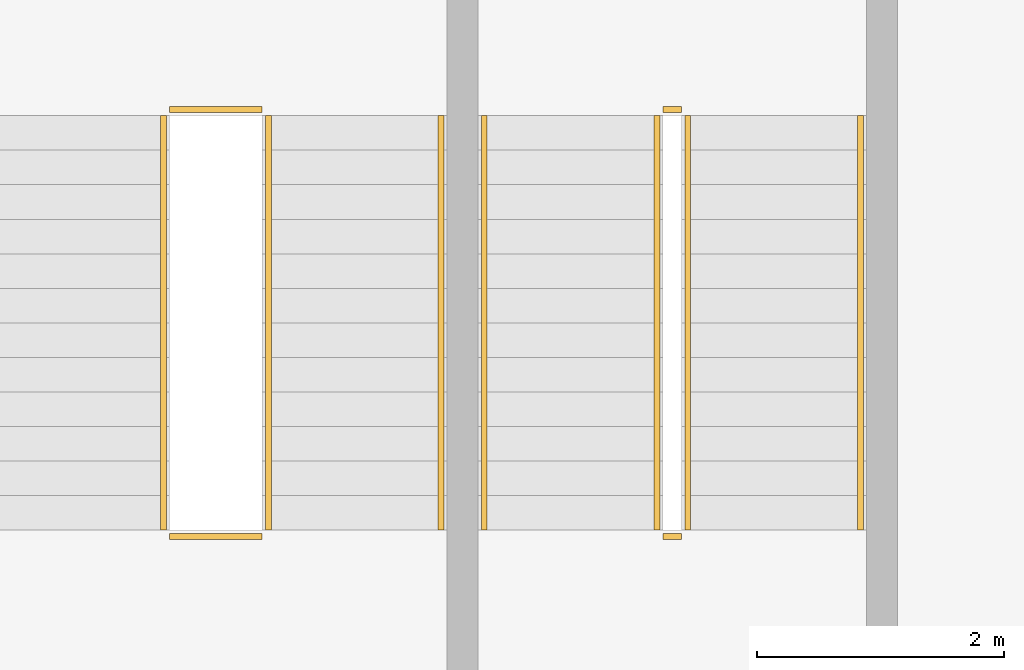
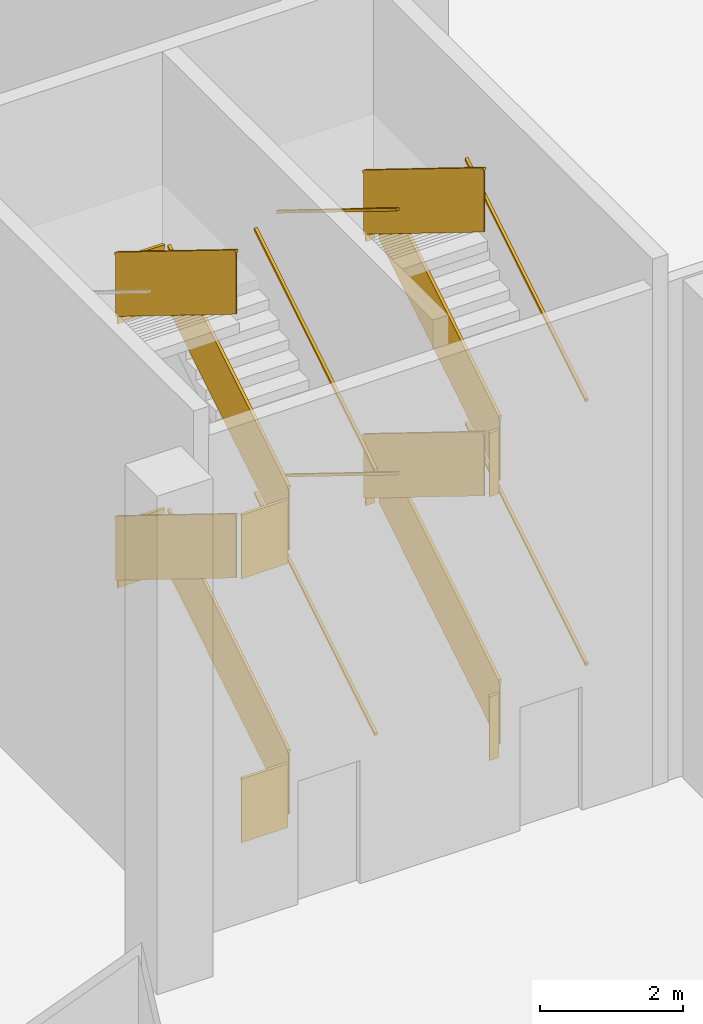
# One storey, part 32 of 34: 22 railings.
"""IFC4 building model written with IfcOpenShell, lengths in metres."""

from ifc_helpers import new_model, si_unit, direction, frame, origin, origin_2d, place, context, subcontext, project, spatial, rectangle, extrude, material, type_object, element, save


model = new_model("IFC4")

# Units and contexts
model_context = context("Model", 3, precision=1e-05, world=origin(), true_north=direction((0.0, 1.0)))
body_context = subcontext(model_context, "Body", "Model", "MODEL_VIEW")
ifc_project = project(units=[si_unit("LENGTHUNIT", "METRE"), si_unit("AREAUNIT", "SQUARE_METRE"), si_unit("VOLUMEUNIT", "CUBIC_METRE"), si_unit("PLANEANGLEUNIT", "RADIAN"), si_unit("MASSUNIT", "GRAM", prefix="KILO")], contexts=[model_context])

# Site, building, storey
site_placement = place(None, origin())
site = spatial("IfcSite", under=ifc_project, at=site_placement, CompositionType="ELEMENT")
building_placement = place(site_placement, origin())
building = spatial("IfcBuilding", under=site, at=building_placement, Name="Mirante Cascada Hotel Towers", CompositionType="ELEMENT")
storey_placement = place(building_placement, origin())
storey = spatial("IfcBuildingStorey", under=building, at=storey_placement, Name="L00", CompositionType="ELEMENT", Elevation=0.0)

# Railings
ifc_material_1 = material(Name="Painted steel", Category="steel")
railing_type_1 = type_object("IfcRailingType", Name="Podium stair guard 1100 steel balustrade", PredefinedType="GUARDRAIL", material=ifc_material_1)
railing_1_placement = place(storey_placement, frame((-20.375, -15.775, 0.1731)))
element("IfcRailing", 1, at=railing_1_placement, inside=storey, type_object=railing_type_1, Name="L00 PS1 stair guard 1", PredefinedType="GUARDRAIL", context=body_context, shape_type="SweptSolid", body=[
    extrude(rectangle(XDim=0.048, YDim=0.048, at=origin_2d()), frame((0.0, 0.0, 1.076), z_axis=(0.0, 1.0, 0.0), x_axis=(-1.0, 0.0, 0.0)), (0.0, 0.5257871, 0.8506162), 3.9501),
    extrude(rectangle(XDim=0.02, YDim=1.052, at=origin_2d()), frame((0.0, 0.0, 0.526), z_axis=(0.0, 1.0, 0.0), x_axis=(-1.0, 0.0, 0.0)), (0.0, 0.5257871, 0.8506162), 3.9501),
])
railing_2_placement = place(storey_placement, frame((-20.425, -12.365, 2.25)))
element("IfcRailing", 2, at=railing_2_placement, inside=storey, type_object=railing_type_1, Name="L00 PS1 stair guard 2", PredefinedType="GUARDRAIL", context=body_context, shape_type="SweptSolid", body=[
    extrude(rectangle(XDim=0.048, YDim=0.048, at=origin_2d()), frame((0.0, 0.0, 1.076), z_axis=(-1.0, 0.0, 0.0), x_axis=(0.0, -1.0, 0.0)), (0.0, 0.0, 1.0), 0.15),
    extrude(rectangle(XDim=0.02, YDim=1.052, at=origin_2d()), frame((0.0, 0.0, 0.526), z_axis=(-1.0, 0.0, 0.0), x_axis=(0.0, -1.0, 0.0)), (0.0, 0.0, 1.0), 0.15),
])
railing_3_placement = place(storey_placement, frame((-20.625, -12.415, 2.4231)))
element("IfcRailing", 3, at=railing_3_placement, inside=storey, type_object=railing_type_1, Name="L00 PS1 stair guard 3", PredefinedType="GUARDRAIL", context=body_context, shape_type="SweptSolid", body=[
    extrude(rectangle(XDim=0.048, YDim=0.048, at=origin_2d()), frame((0.0, 0.0, 1.076), z_axis=(0.0, -1.0, 0.0), x_axis=(1.0, 0.0, 0.0)), (0.0, 0.5257871, 0.8506162), 3.9501),
    extrude(rectangle(XDim=0.02, YDim=1.052, at=origin_2d()), frame((0.0, 0.0, 0.526), z_axis=(0.0, -1.0, 0.0), x_axis=(1.0, 0.0, 0.0)), (0.0, 0.5257871, 0.8506162), 3.9501),
])
railing_4_placement = place(storey_placement, frame((-20.425, -15.825, 4.5)))
element("IfcRailing", 4, at=railing_4_placement, inside=storey, type_object=railing_type_1, Name="L00 PS1 stair guard 4", PredefinedType="GUARDRAIL", context=body_context, shape_type="SweptSolid", body=[
    extrude(rectangle(XDim=0.048, YDim=0.048, at=origin_2d()), frame((0.0, 0.0, 1.076), z_axis=(-1.0, 0.0, 0.0), x_axis=(0.0, -1.0, 0.0)), (0.0, 0.0, 1.0), 0.15),
    extrude(rectangle(XDim=0.02, YDim=1.052, at=origin_2d()), frame((0.0, 0.0, 0.526), z_axis=(-1.0, 0.0, 0.0), x_axis=(0.0, -1.0, 0.0)), (0.0, 0.0, 1.0), 0.15),
])
railing_5_placement = place(storey_placement, frame((-20.375, -15.775, 4.6731)))
element("IfcRailing", 5, at=railing_5_placement, inside=storey, type_object=railing_type_1, Name="L00 PS1 stair guard 5", PredefinedType="GUARDRAIL", context=body_context, shape_type="SweptSolid", body=[
    extrude(rectangle(XDim=0.048, YDim=0.048, at=origin_2d()), frame((0.0, 0.0, 1.076), z_axis=(0.0, 1.0, 0.0), x_axis=(-1.0, 0.0, 0.0)), (0.0, 0.5257871, 0.8506162), 3.9501),
    extrude(rectangle(XDim=0.02, YDim=1.052, at=origin_2d()), frame((0.0, 0.0, 0.526), z_axis=(0.0, 1.0, 0.0), x_axis=(-1.0, 0.0, 0.0)), (0.0, 0.5257871, 0.8506162), 3.9501),
])
railing_6_placement = place(storey_placement, frame((-20.425, -12.365, 6.75)))
element("IfcRailing", 6, at=railing_6_placement, inside=storey, type_object=railing_type_1, Name="L00 PS1 stair guard 6", PredefinedType="GUARDRAIL", context=body_context, shape_type="SweptSolid", body=[
    extrude(rectangle(XDim=0.048, YDim=0.048, at=origin_2d()), frame((0.0, 0.0, 1.076), z_axis=(-1.0, 0.0, 0.0), x_axis=(0.0, -1.0, 0.0)), (0.0, 0.0, 1.0), 0.15),
    extrude(rectangle(XDim=0.02, YDim=1.052, at=origin_2d()), frame((0.0, 0.0, 0.526), z_axis=(-1.0, 0.0, 0.0), x_axis=(0.0, -1.0, 0.0)), (0.0, 0.0, 1.0), 0.15),
])
railing_7_placement = place(storey_placement, frame((-20.625, -12.415, 6.9231)))
element("IfcRailing", 7, at=railing_7_placement, inside=storey, type_object=railing_type_1, Name="L00 PS1 stair guard 7", PredefinedType="GUARDRAIL", context=body_context, shape_type="SweptSolid", body=[
    extrude(rectangle(XDim=0.048, YDim=0.048, at=origin_2d()), frame((0.0, 0.0, 1.076), z_axis=(0.0, -1.0, 0.0), x_axis=(1.0, 0.0, 0.0)), (0.0, 0.5257871, 0.8506162), 3.9501),
    extrude(rectangle(XDim=0.02, YDim=1.052, at=origin_2d()), frame((0.0, 0.0, 0.526), z_axis=(0.0, -1.0, 0.0), x_axis=(1.0, 0.0, 0.0)), (0.0, 0.5257871, 0.8506162), 3.9501),
])
railing_8_placement = place(storey_placement, frame((-20.425, -15.825, 0.0)))
element("IfcRailing", 8, at=railing_8_placement, inside=storey, type_object=railing_type_1, Name="L00 PS1 stair guard 8", PredefinedType="GUARDRAIL", context=body_context, shape_type="SweptSolid", body=[
    extrude(rectangle(XDim=0.048, YDim=0.048, at=origin_2d()), frame((0.0, 0.0, 1.076), z_axis=(-1.0, 0.0, 0.0), x_axis=(0.0, -1.0, 0.0)), (0.0, 0.0, 1.0), 0.15),
    extrude(rectangle(XDim=0.02, YDim=1.052, at=origin_2d()), frame((0.0, 0.0, 0.526), z_axis=(-1.0, 0.0, 0.0), x_axis=(0.0, -1.0, 0.0)), (0.0, 0.0, 1.0), 0.15),
])
railing_9_placement = place(storey_placement, frame((-23.775, -15.775, 0.1731)))
element("IfcRailing", 9, at=railing_9_placement, inside=storey, type_object=railing_type_1, Name="L00 PS3 stair guard 1", PredefinedType="GUARDRAIL", context=body_context, shape_type="SweptSolid", body=[
    extrude(rectangle(XDim=0.048, YDim=0.048, at=origin_2d()), frame((0.0, 0.0, 1.076), z_axis=(0.0, 1.0, 0.0), x_axis=(-1.0, 0.0, 0.0)), (0.0, 0.5257871, 0.8506162), 3.9501),
    extrude(rectangle(XDim=0.02, YDim=1.052, at=origin_2d()), frame((0.0, 0.0, 0.526), z_axis=(0.0, 1.0, 0.0), x_axis=(-1.0, 0.0, 0.0)), (0.0, 0.5257871, 0.8506162), 3.9501),
])
railing_10_placement = place(storey_placement, frame((-23.825, -12.365, 2.25)))
element("IfcRailing", 10, at=railing_10_placement, inside=storey, type_object=railing_type_1, Name="L00 PS3 stair guard 2", PredefinedType="GUARDRAIL", context=body_context, shape_type="SweptSolid", body=[
    extrude(rectangle(XDim=0.048, YDim=0.048, at=origin_2d()), frame((0.0, 0.0, 1.076), z_axis=(-1.0, 0.0, 0.0), x_axis=(0.0, -1.0, 0.0)), (0.0, 0.0, 1.0), 0.75),
    extrude(rectangle(XDim=0.02, YDim=1.052, at=origin_2d()), frame((0.0, 0.0, 0.526), z_axis=(-1.0, 0.0, 0.0), x_axis=(0.0, -1.0, 0.0)), (0.0, 0.0, 1.0), 0.75),
])
railing_11_placement = place(storey_placement, frame((-24.625, -12.415, 2.4231)))
element("IfcRailing", 11, at=railing_11_placement, inside=storey, type_object=railing_type_1, Name="L00 PS3 stair guard 3", PredefinedType="GUARDRAIL", context=body_context, shape_type="SweptSolid", body=[
    extrude(rectangle(XDim=0.048, YDim=0.048, at=origin_2d()), frame((0.0, 0.0, 1.076), z_axis=(0.0, -1.0, 0.0), x_axis=(1.0, 0.0, 0.0)), (0.0, 0.5257871, 0.8506162), 3.9501),
    extrude(rectangle(XDim=0.02, YDim=1.052, at=origin_2d()), frame((0.0, 0.0, 0.526), z_axis=(0.0, -1.0, 0.0), x_axis=(1.0, 0.0, 0.0)), (0.0, 0.5257871, 0.8506162), 3.9501),
])
railing_12_placement = place(storey_placement, frame((-23.825, -15.825, 4.5)))
element("IfcRailing", 12, at=railing_12_placement, inside=storey, type_object=railing_type_1, Name="L00 PS3 stair guard 4", PredefinedType="GUARDRAIL", context=body_context, shape_type="SweptSolid", body=[
    extrude(rectangle(XDim=0.048, YDim=0.048, at=origin_2d()), frame((0.0, 0.0, 1.076), z_axis=(-1.0, 0.0, 0.0), x_axis=(0.0, -1.0, 0.0)), (0.0, 0.0, 1.0), 0.75),
    extrude(rectangle(XDim=0.02, YDim=1.052, at=origin_2d()), frame((0.0, 0.0, 0.526), z_axis=(-1.0, 0.0, 0.0), x_axis=(0.0, -1.0, 0.0)), (0.0, 0.0, 1.0), 0.75),
])
railing_13_placement = place(storey_placement, frame((-23.775, -15.775, 4.6731)))
element("IfcRailing", 13, at=railing_13_placement, inside=storey, type_object=railing_type_1, Name="L00 PS3 stair guard 5", PredefinedType="GUARDRAIL", context=body_context, shape_type="SweptSolid", body=[
    extrude(rectangle(XDim=0.048, YDim=0.048, at=origin_2d()), frame((0.0, 0.0, 1.076), z_axis=(0.0, 1.0, 0.0), x_axis=(-1.0, 0.0, 0.0)), (0.0, 0.5257871, 0.8506162), 3.9501),
    extrude(rectangle(XDim=0.02, YDim=1.052, at=origin_2d()), frame((0.0, 0.0, 0.526), z_axis=(0.0, 1.0, 0.0), x_axis=(-1.0, 0.0, 0.0)), (0.0, 0.5257871, 0.8506162), 3.9501),
])
railing_14_placement = place(storey_placement, frame((-23.825, -12.365, 6.75)))
element("IfcRailing", 14, at=railing_14_placement, inside=storey, type_object=railing_type_1, Name="L00 PS3 stair guard 6", PredefinedType="GUARDRAIL", context=body_context, shape_type="SweptSolid", body=[
    extrude(rectangle(XDim=0.048, YDim=0.048, at=origin_2d()), frame((0.0, 0.0, 1.076), z_axis=(-1.0, 0.0, 0.0), x_axis=(0.0, -1.0, 0.0)), (0.0, 0.0, 1.0), 0.75),
    extrude(rectangle(XDim=0.02, YDim=1.052, at=origin_2d()), frame((0.0, 0.0, 0.526), z_axis=(-1.0, 0.0, 0.0), x_axis=(0.0, -1.0, 0.0)), (0.0, 0.0, 1.0), 0.75),
])
railing_15_placement = place(storey_placement, frame((-24.625, -12.415, 6.9231)))
element("IfcRailing", 15, at=railing_15_placement, inside=storey, type_object=railing_type_1, Name="L00 PS3 stair guard 7", PredefinedType="GUARDRAIL", context=body_context, shape_type="SweptSolid", body=[
    extrude(rectangle(XDim=0.048, YDim=0.048, at=origin_2d()), frame((0.0, 0.0, 1.076), z_axis=(0.0, -1.0, 0.0), x_axis=(1.0, 0.0, 0.0)), (0.0, 0.5257871, 0.8506162), 3.9501),
    extrude(rectangle(XDim=0.02, YDim=1.052, at=origin_2d()), frame((0.0, 0.0, 0.526), z_axis=(0.0, -1.0, 0.0), x_axis=(1.0, 0.0, 0.0)), (0.0, 0.5257871, 0.8506162), 3.9501),
])
railing_16_placement = place(storey_placement, frame((-23.825, -15.825, 0.0)))
element("IfcRailing", 16, at=railing_16_placement, inside=storey, type_object=railing_type_1, Name="L00 PS3 stair guard 8", PredefinedType="GUARDRAIL", context=body_context, shape_type="SweptSolid", body=[
    extrude(rectangle(XDim=0.048, YDim=0.048, at=origin_2d()), frame((0.0, 0.0, 1.076), z_axis=(-1.0, 0.0, 0.0), x_axis=(0.0, -1.0, 0.0)), (0.0, 0.0, 1.0), 0.75),
    extrude(rectangle(XDim=0.02, YDim=1.052, at=origin_2d()), frame((0.0, 0.0, 0.526), z_axis=(-1.0, 0.0, 0.0), x_axis=(0.0, -1.0, 0.0)), (0.0, 0.0, 1.0), 0.75),
])
ifc_material_2 = material(Name="Painted steel", Category="steel")
railing_type_2 = type_object("IfcRailingType", Name="Podium stair handrail 900 steel tube", PredefinedType="HANDRAIL", material=ifc_material_2)
railing_17_placement = place(storey_placement, frame((-18.975, -15.775, 0.1731)))
element("IfcRailing", 17, at=railing_17_placement, inside=storey, type_object=railing_type_2, Name="L00 PS1 stair handrail 1", PredefinedType="HANDRAIL", context=body_context, shape_type="SweptSolid", body=[
    extrude(rectangle(XDim=0.048, YDim=0.048, at=origin_2d()), frame((0.0, 0.0, 0.876), z_axis=(0.0, 1.0, 0.0), x_axis=(-1.0, 0.0, 0.0)), (0.0, 0.5257871, 0.8506162), 3.9501),
])
railing_18_placement = place(storey_placement, frame((-22.025, -12.415, 2.4231)))
element("IfcRailing", 18, at=railing_18_placement, inside=storey, type_object=railing_type_2, Name="L00 PS1 stair handrail 2", PredefinedType="HANDRAIL", context=body_context, shape_type="SweptSolid", body=[
    extrude(rectangle(XDim=0.048, YDim=0.048, at=origin_2d()), frame((0.0, 0.0, 0.876), z_axis=(0.0, -1.0, 0.0), x_axis=(1.0, 0.0, 0.0)), (0.0, 0.5257871, 0.8506162), 3.9501),
])
railing_19_placement = place(storey_placement, frame((-18.975, -15.775, 4.6731)))
element("IfcRailing", 19, at=railing_19_placement, inside=storey, type_object=railing_type_2, Name="L00 PS1 stair handrail 3", PredefinedType="HANDRAIL", context=body_context, shape_type="SweptSolid", body=[
    extrude(rectangle(XDim=0.048, YDim=0.048, at=origin_2d()), frame((0.0, 0.0, 0.876), z_axis=(0.0, 1.0, 0.0), x_axis=(-1.0, 0.0, 0.0)), (0.0, 0.5257871, 0.8506162), 3.9501),
])
railing_20_placement = place(storey_placement, frame((-22.025, -12.415, 6.9231)))
element("IfcRailing", 20, at=railing_20_placement, inside=storey, type_object=railing_type_2, Name="L00 PS1 stair handrail 4", PredefinedType="HANDRAIL", context=body_context, shape_type="SweptSolid", body=[
    extrude(rectangle(XDim=0.048, YDim=0.048, at=origin_2d()), frame((0.0, 0.0, 0.876), z_axis=(0.0, -1.0, 0.0), x_axis=(1.0, 0.0, 0.0)), (0.0, 0.5257871, 0.8506162), 3.9501),
])
for number, where, name in (
    (21, (-22.375, -15.775, 0.1731), "L00 PS3 stair handrail 1"),
    (22, (-22.375, -15.775, 4.6731), "L00 PS3 stair handrail 3"),
):
    element("IfcRailing", number, at=place(storey_placement, frame(where)), inside=storey, type_object=railing_type_2, Name=name, PredefinedType="HANDRAIL", context=body_context, shape_type="SweptSolid", body=[
        extrude(rectangle(XDim=0.048, YDim=0.048, at=origin_2d()), frame((0.0, 0.0, 0.876), z_axis=(0.0, 1.0, 0.0), x_axis=(-1.0, 0.0, 0.0)), (0.0, 0.5257871, 0.8506162), 3.9501),
    ])

save(model, "model.ifc")
